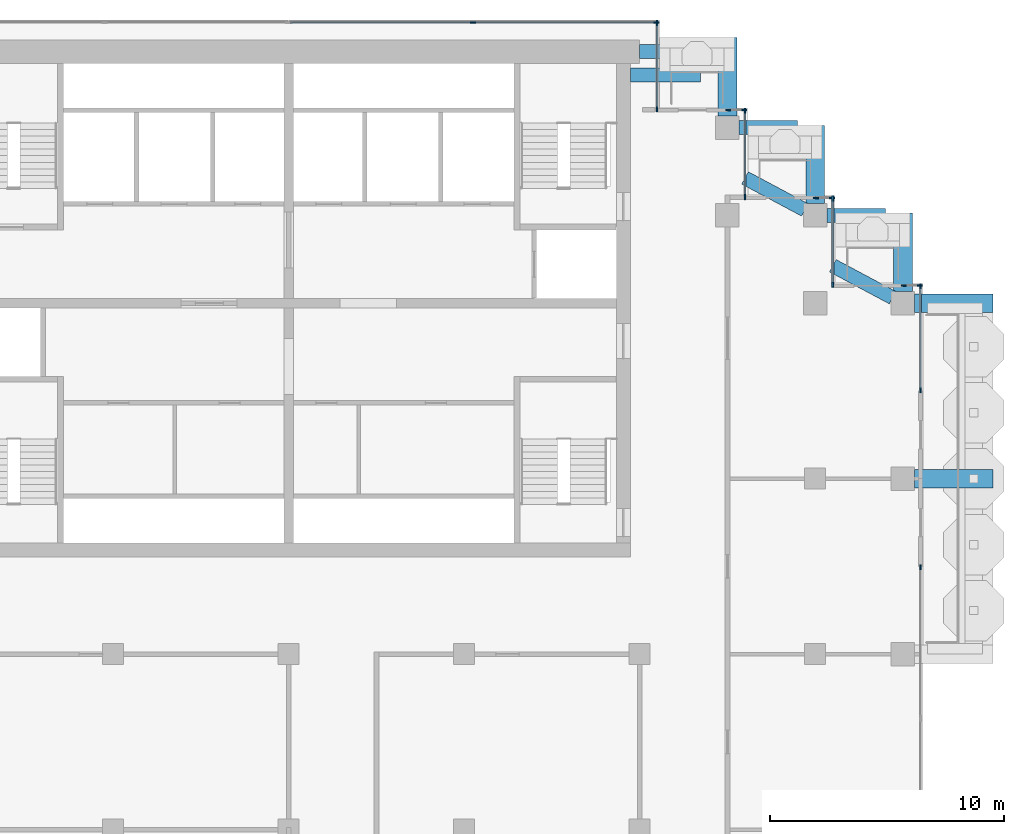
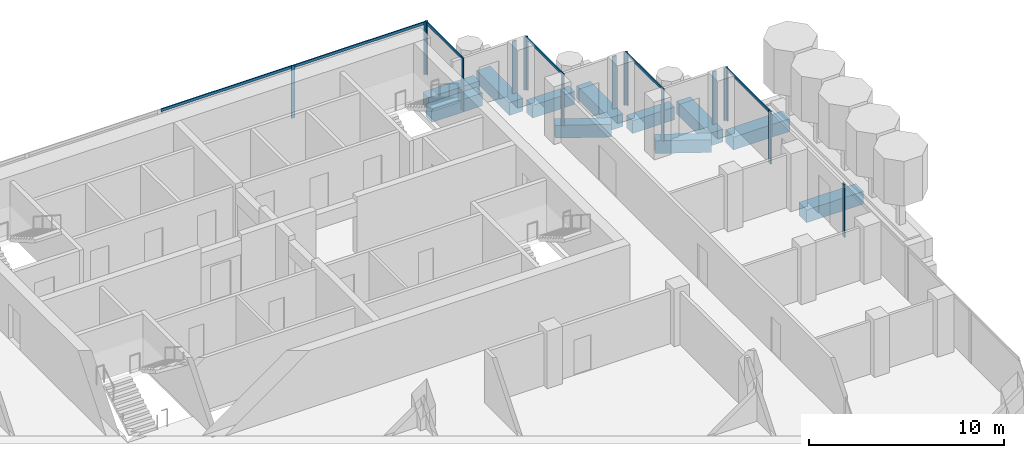
# One storey, part 6 of 18: 23 members, 11 beams, 9 elements without a shape of their own.
"""IFC4 building model written with IfcOpenShell, lengths in metres."""

from ifc_helpers import new_model, si_unit, direction, frame, origin, origin_2d, place, context, subcontext, project, spatial, rectangle, extrude, material, material_profile, profile_set, type_object, element, aggregate, save


model = new_model("IFC4")

# Units and contexts
model_context = context("Model", 3, precision=1e-05, world=origin(), true_north=direction((0.0, 1.0)))
body_context = subcontext(model_context, "Body", "Model", "MODEL_VIEW")
ifc_project = project(units=[si_unit("LENGTHUNIT", "METRE"), si_unit("AREAUNIT", "SQUARE_METRE"), si_unit("VOLUMEUNIT", "CUBIC_METRE"), si_unit("PLANEANGLEUNIT", "RADIAN"), si_unit("MASSUNIT", "GRAM", prefix="KILO")], contexts=[model_context])

# Site, building, storey
site_placement = place(None, origin())
site = spatial("IfcSite", under=ifc_project, at=site_placement, CompositionType="ELEMENT")
building_placement = place(site_placement, origin())
building = spatial("IfcBuilding", under=site, at=building_placement, Name="Pilkhan Gate Tower", CompositionType="ELEMENT")
storey_placement = place(building_placement, frame((0.0, 0.0, 203.10009765625)))
storey = spatial("IfcBuildingStorey", under=building, at=storey_placement, Name="L52", CompositionType="ELEMENT", Elevation=203.10009765625)

# Beams
ifc_material_1 = material(Name="Concrete C50/60", Category="concrete")
ifc_material_profile_1 = material_profile(ifc_material_1, rectangle(XDim=0.60009765625, YDim=0.800048828125, at=origin_2d()), Name="RC 600x800")
ifc_profile_set_1 = profile_set([ifc_material_profile_1], Name="Concrete C50/60")
beam_type_1 = type_object("IfcBeamType", Name="Cantilever beam CB1 RC 600x800 C50/60", PredefinedType="BEAM", material=ifc_profile_set_1)
for number, where, z_axis, x_axis, name in (
    (1, (90.0, 93.25, -0.7001953125), (1.0, 0.0, 0.0), (0.0, 1.0, 0.0), "Balcony beam NE.2 L52"),
    (2, (89.60009765625, 92.25, -0.7001953125), (1.0, 0.0, 0.0), (0.0, 1.0, 0.0), "Balcony beam NE.3 L52"),
):
    element("IfcBeam", number, at=place(storey_placement, frame(where, z_axis=z_axis, x_axis=x_axis)), inside=storey, type_object=beam_type_1, Name=name, PredefinedType="BEAM", context=body_context, shape_type="SweptSolid", body=[
        extrude(rectangle(XDim=0.60009765625, YDim=0.800048828125, at=origin_2d()), origin(), (0.0, 0.0, 1.0), 3.0),
    ])
beam_1_placement = place(storey_placement, frame((94.25, 90.0, -0.7001953125), z_axis=(1.0, 0.0, 0.0), x_axis=(0.0, 1.0, 0.0)))
element("IfcBeam", 3, at=beam_1_placement, inside=storey, type_object=beam_type_1, Name="Balcony beam NE1.2 L52", PredefinedType="BEAM", context=body_context, shape_type="SweptSolid", body=[
    extrude(rectangle(XDim=0.60009765625, YDim=0.800048828125, at=origin_2d()), origin(), (0.0, 0.0, 1.0), 2.5),
])
beam_2_placement = place(storey_placement, frame((97.058837890625, 86.4853515625, -0.7001953125), z_axis=(-0.882348280344, 0.470596974251, 0.0), x_axis=(-0.470596974251, -0.882348280344, 0.0)))
element("IfcBeam", 4, at=beam_2_placement, inside=storey, type_object=beam_type_1, Name="Balcony beam NE1.3 L52", PredefinedType="BEAM", context=body_context, shape_type="SweptSolid", body=[
    extrude(rectangle(XDim=0.60009765625, YDim=0.800048828125, at=origin_2d()), origin(), (0.0, 0.0, 1.0), 2.900146484375),
])
beam_3_placement = place(storey_placement, frame((98.0, 86.25, -0.7001953125), z_axis=(1.0, 0.0, 0.0), x_axis=(0.0, 1.0, 0.0)))
element("IfcBeam", 5, at=beam_3_placement, inside=storey, type_object=beam_type_1, Name="Balcony beam NE2.2 L52", PredefinedType="BEAM", context=body_context, shape_type="SweptSolid", body=[
    extrude(rectangle(XDim=0.60009765625, YDim=0.800048828125, at=origin_2d()), origin(), (0.0, 0.0, 1.0), 2.5),
])
beam_4_placement = place(storey_placement, frame((100.808837890625, 82.7353515625, -0.7001953125), z_axis=(-0.882348280344, 0.470596974251, 0.0), x_axis=(-0.470596974251, -0.882348280344, 0.0)))
element("IfcBeam", 6, at=beam_4_placement, inside=storey, type_object=beam_type_1, Name="Balcony beam NE2.3 L52", PredefinedType="BEAM", context=body_context, shape_type="SweptSolid", body=[
    extrude(rectangle(XDim=0.60009765625, YDim=0.800048828125, at=origin_2d()), origin(), (0.0, 0.0, 1.0), 2.900146484375),
])
ifc_material_profile_2 = material_profile(ifc_material_1, rectangle(XDim=0.800048828125, YDim=0.800048828125, at=origin_2d()), Name="RC 800x800")
ifc_profile_set_2 = profile_set([ifc_material_profile_2], Name="Concrete C50/60")
beam_type_2 = type_object("IfcBeamType", Name="Cantilever beam CB2 RC 800x800 C50/60", PredefinedType="BEAM", material=ifc_profile_set_2)
for number, where, z_axis, x_axis, name in (
    (7, (101.75, 75.0, -0.7001953125), (1.0, 0.0, 0.0), (0.0, 1.0, 0.0), "Balcony beam E.2 L52"),
    (8, (101.75, 82.5, -0.7001953125), (1.0, 0.0, 0.0), (0.0, 1.0, 0.0), "Balcony beam E.3 L52"),
    (9, (93.75, 90.5, -0.7001953125), (0.0, 1.0, 0.0), (-1.0, 0.0, 0.0), "Balcony beam NE.1 L52"),
    (10, (97.5, 86.75, -0.7001953125), (0.0, 1.0, 0.0), (-1.0, 0.0, 0.0), "Balcony beam NE1.1 L52"),
    (11, (101.25, 83.0, -0.7001953125), (0.0, 1.0, 0.0), (-1.0, 0.0, 0.0), "Balcony beam NE2.1 L52"),
):
    element("IfcBeam", number, at=place(storey_placement, frame(where, z_axis=z_axis, x_axis=x_axis)), inside=storey, type_object=beam_type_2, Name=name, PredefinedType="BEAM", context=body_context, shape_type="SweptSolid", body=[
        extrude(rectangle(XDim=0.800048828125, YDim=0.800048828125, at=origin_2d()), origin(), (0.0, 0.0, 1.0), 3.35009765625),
    ])

# Curtain wall, member
ifc_material_2 = material(Name="Pale anodised aluminium, clear low-iron double glazing", Category="aluminium")
curtain_wall_type = type_object("IfcCurtainWallType", Name="Office unitised curtain wall CW-O2", PredefinedType="USERDEFINED", material=ifc_material_2)
curtain_wall_1_placement = place(storey_placement, origin())
curtain_wall_1 = element("IfcCurtainWall", 12, at=curtain_wall_1_placement, inside=storey, type_object=curtain_wall_type, Name="Office unitised curtain wall CW-O2 L52 E", ObjectType="UNITISED CURTAIN WALL", PredefinedType="USERDEFINED")
ifc_material_3 = material(Name="Pale anodised aluminium", Category="aluminium")
ifc_material_profile_3 = material_profile(ifc_material_3, rectangle(XDim=0.06494140625, YDim=0.22509765625, at=origin_2d()), Name="Mullion 225x65")
ifc_profile_set_3 = profile_set([ifc_material_profile_3], Name="Pale anodised aluminium")
member_type_1 = type_object("IfcMemberType", Name="Mullion CW-O2 225x65", PredefinedType="MULLION", material=ifc_profile_set_3)
member_1_placement = place(storey_placement, frame((102.0, 71.217529296875, 0.0), z_axis=(0.0, 0.0, 1.0), x_axis=(-1.0, 0.0, 0.0)))
member_1 = element("IfcMember", 13, at=member_1_placement, type_object=member_type_1, Name="CW-O2 mullion 2", PredefinedType="MULLION", context=body_context, shape_type="SweptSolid", body=[
    extrude(rectangle(XDim=0.06494140625, YDim=0.22509765625, at=origin_2d()), origin(), (0.0, 0.0, 1.0), 3.2998046875),
])
aggregate(curtain_wall_1, [member_1])

# Curtain wall, members
curtain_wall_2_placement = place(storey_placement, origin())
curtain_wall_2 = element("IfcCurtainWall", 14, at=curtain_wall_2_placement, inside=storey, type_object=curtain_wall_type, Name="Office unitised curtain wall CW-O2 L52 E", ObjectType="UNITISED CURTAIN WALL", PredefinedType="USERDEFINED")
member_2_placement = place(storey_placement, frame((102.0, 78.782470703125, 0.0), z_axis=(0.0, 0.0, 1.0), x_axis=(-1.0, 0.0, 0.0)))
member_2 = element("IfcMember", 15, at=member_2_placement, type_object=member_type_1, Name="CW-O2 mullion 1", PredefinedType="MULLION", context=body_context, shape_type="SweptSolid", body=[
    extrude(rectangle(XDim=0.06494140625, YDim=0.22509765625, at=origin_2d()), origin(), (0.0, 0.0, 1.0), 3.2998046875),
])
member_3_placement = place(storey_placement, frame((102.0, 83.217529296875, 0.0), z_axis=(0.0, 0.0, 1.0), x_axis=(-1.0, 0.0, 0.0)))
member_3 = element("IfcMember", 16, at=member_3_placement, type_object=member_type_1, Name="CW-O2 mullion 2", PredefinedType="MULLION", context=body_context, shape_type="SweptSolid", body=[
    extrude(rectangle(XDim=0.06494140625, YDim=0.22509765625, at=origin_2d()), origin(), (0.0, 0.0, 1.0), 3.2998046875),
])

curtain_wall_3_placement = place(storey_placement, origin())
curtain_wall_3 = element("IfcCurtainWall", 17, at=curtain_wall_3_placement, inside=storey, type_object=curtain_wall_type, Name="Office unitised curtain wall CW-O2 L52 N", ObjectType="UNITISED CURTAIN WALL", PredefinedType="USERDEFINED")
member_4_placement = place(storey_placement, frame((101.282470703125, 83.25, 0.0), z_axis=(0.0, 0.0, 1.0), x_axis=(0.0, 1.0, 0.0)))
member_4 = element("IfcMember", 18, at=member_4_placement, type_object=member_type_1, Name="CW-O2 mullion 1", PredefinedType="MULLION", context=body_context, shape_type="SweptSolid", body=[
    extrude(rectangle(XDim=0.06494140625, YDim=0.22509765625, at=origin_2d()), origin(), (0.0, 0.0, 1.0), 3.2998046875),
])
member_5_placement = place(storey_placement, frame((101.967529296875, 83.25, 0.0), z_axis=(0.0, 0.0, 1.0), x_axis=(0.0, 1.0, 0.0)))
member_5 = element("IfcMember", 19, at=member_5_placement, type_object=member_type_1, Name="CW-O2 mullion 2", PredefinedType="MULLION", context=body_context, shape_type="SweptSolid", body=[
    extrude(rectangle(XDim=0.06494140625, YDim=0.22509765625, at=origin_2d()), origin(), (0.0, 0.0, 1.0), 3.2998046875),
])
aggregate(curtain_wall_3, [member_4, member_5])

curtain_wall_4_placement = place(storey_placement, origin())
curtain_wall_4 = element("IfcCurtainWall", 20, at=curtain_wall_4_placement, inside=storey, type_object=curtain_wall_type, Name="Office unitised curtain wall CW-O2 L52 E", ObjectType="UNITISED CURTAIN WALL", PredefinedType="USERDEFINED")
member_6_placement = place(storey_placement, frame((98.25, 83.282470703125, 0.0), z_axis=(0.0, 0.0, 1.0), x_axis=(-1.0, 0.0, 0.0)))
member_6 = element("IfcMember", 21, at=member_6_placement, type_object=member_type_1, Name="CW-O2 mullion 1", PredefinedType="MULLION", context=body_context, shape_type="SweptSolid", body=[
    extrude(rectangle(XDim=0.06494140625, YDim=0.22509765625, at=origin_2d()), origin(), (0.0, 0.0, 1.0), 3.2998046875),
])
member_7_placement = place(storey_placement, frame((98.25, 86.967529296875, 0.0), z_axis=(0.0, 0.0, 1.0), x_axis=(-1.0, 0.0, 0.0)))
member_7 = element("IfcMember", 22, at=member_7_placement, type_object=member_type_1, Name="CW-O2 mullion 2", PredefinedType="MULLION", context=body_context, shape_type="SweptSolid", body=[
    extrude(rectangle(XDim=0.06494140625, YDim=0.22509765625, at=origin_2d()), origin(), (0.0, 0.0, 1.0), 3.2998046875),
])

curtain_wall_5_placement = place(storey_placement, origin())
curtain_wall_5 = element("IfcCurtainWall", 23, at=curtain_wall_5_placement, inside=storey, type_object=curtain_wall_type, Name="Office unitised curtain wall CW-O2 L52 N", ObjectType="UNITISED CURTAIN WALL", PredefinedType="USERDEFINED")
member_8_placement = place(storey_placement, frame((97.532470703125, 87.0, 0.0), z_axis=(0.0, 0.0, 1.0), x_axis=(0.0, 1.0, 0.0)))
member_8 = element("IfcMember", 24, at=member_8_placement, type_object=member_type_1, Name="CW-O2 mullion 1", PredefinedType="MULLION", context=body_context, shape_type="SweptSolid", body=[
    extrude(rectangle(XDim=0.06494140625, YDim=0.22509765625, at=origin_2d()), origin(), (0.0, 0.0, 1.0), 3.2998046875),
])
member_9_placement = place(storey_placement, frame((98.217529296875, 87.0, 0.0), z_axis=(0.0, 0.0, 1.0), x_axis=(0.0, 1.0, 0.0)))
member_9 = element("IfcMember", 25, at=member_9_placement, type_object=member_type_1, Name="CW-O2 mullion 2", PredefinedType="MULLION", context=body_context, shape_type="SweptSolid", body=[
    extrude(rectangle(XDim=0.06494140625, YDim=0.22509765625, at=origin_2d()), origin(), (0.0, 0.0, 1.0), 3.2998046875),
])
aggregate(curtain_wall_5, [member_8, member_9])

curtain_wall_6_placement = place(storey_placement, origin())
curtain_wall_6 = element("IfcCurtainWall", 26, at=curtain_wall_6_placement, inside=storey, type_object=curtain_wall_type, Name="Office unitised curtain wall CW-O2 L52 E", ObjectType="UNITISED CURTAIN WALL", PredefinedType="USERDEFINED")
member_10_placement = place(storey_placement, frame((94.5, 87.032470703125, 0.0), z_axis=(0.0, 0.0, 1.0), x_axis=(-1.0, 0.0, 0.0)))
member_10 = element("IfcMember", 27, at=member_10_placement, type_object=member_type_1, Name="CW-O2 mullion 1", PredefinedType="MULLION", context=body_context, shape_type="SweptSolid", body=[
    extrude(rectangle(XDim=0.06494140625, YDim=0.22509765625, at=origin_2d()), origin(), (0.0, 0.0, 1.0), 3.2998046875),
])
member_11_placement = place(storey_placement, frame((94.5, 90.717529296875, 0.0), z_axis=(0.0, 0.0, 1.0), x_axis=(-1.0, 0.0, 0.0)))
member_11 = element("IfcMember", 28, at=member_11_placement, type_object=member_type_1, Name="CW-O2 mullion 2", PredefinedType="MULLION", context=body_context, shape_type="SweptSolid", body=[
    extrude(rectangle(XDim=0.06494140625, YDim=0.22509765625, at=origin_2d()), origin(), (0.0, 0.0, 1.0), 3.2998046875),
])

curtain_wall_7_placement = place(storey_placement, origin())
curtain_wall_7 = element("IfcCurtainWall", 29, at=curtain_wall_7_placement, inside=storey, type_object=curtain_wall_type, Name="Office unitised curtain wall CW-O2 L52 N", ObjectType="UNITISED CURTAIN WALL", PredefinedType="USERDEFINED")
member_12_placement = place(storey_placement, frame((93.782470703125, 90.75, 0.0), z_axis=(0.0, 0.0, 1.0), x_axis=(0.0, 1.0, 0.0)))
member_12 = element("IfcMember", 30, at=member_12_placement, type_object=member_type_1, Name="CW-O2 mullion 1", PredefinedType="MULLION", context=body_context, shape_type="SweptSolid", body=[
    extrude(rectangle(XDim=0.06494140625, YDim=0.22509765625, at=origin_2d()), origin(), (0.0, 0.0, 1.0), 3.2998046875),
])
member_13_placement = place(storey_placement, frame((94.467529296875, 90.75, 0.0), z_axis=(0.0, 0.0, 1.0), x_axis=(0.0, 1.0, 0.0)))
member_13 = element("IfcMember", 31, at=member_13_placement, type_object=member_type_1, Name="CW-O2 mullion 2", PredefinedType="MULLION", context=body_context, shape_type="SweptSolid", body=[
    extrude(rectangle(XDim=0.06494140625, YDim=0.22509765625, at=origin_2d()), origin(), (0.0, 0.0, 1.0), 3.2998046875),
])
aggregate(curtain_wall_7, [member_12, member_13])

curtain_wall_8_placement = place(storey_placement, origin())
curtain_wall_8 = element("IfcCurtainWall", 32, at=curtain_wall_8_placement, inside=storey, type_object=curtain_wall_type, Name="Office unitised curtain wall CW-O2 L52 E", ObjectType="UNITISED CURTAIN WALL", PredefinedType="USERDEFINED")
member_14_placement = place(storey_placement, frame((90.75, 90.782470703125, 0.0), z_axis=(0.0, 0.0, 1.0), x_axis=(-1.0, 0.0, 0.0)))
member_14 = element("IfcMember", 33, at=member_14_placement, type_object=member_type_1, Name="CW-O2 mullion 1", PredefinedType="MULLION", context=body_context, shape_type="SweptSolid", body=[
    extrude(rectangle(XDim=0.06494140625, YDim=0.22509765625, at=origin_2d()), origin(), (0.0, 0.0, 1.0), 3.2998046875),
])
member_15_placement = place(storey_placement, frame((90.75, 94.467529296875, 0.0), z_axis=(0.0, 0.0, 1.0), x_axis=(-1.0, 0.0, 0.0)))
member_15 = element("IfcMember", 34, at=member_15_placement, type_object=member_type_1, Name="CW-O2 mullion 2", PredefinedType="MULLION", context=body_context, shape_type="SweptSolid", body=[
    extrude(rectangle(XDim=0.06494140625, YDim=0.22509765625, at=origin_2d()), origin(), (0.0, 0.0, 1.0), 3.2998046875),
])

curtain_wall_9_placement = place(storey_placement, origin())
curtain_wall_9 = element("IfcCurtainWall", 35, at=curtain_wall_9_placement, inside=storey, type_object=curtain_wall_type, Name="Office unitised curtain wall CW-O2 L52 N", ObjectType="UNITISED CURTAIN WALL", PredefinedType="USERDEFINED")
member_16_placement = place(storey_placement, frame((82.875, 94.5, 0.0), z_axis=(0.0, 0.0, 1.0), x_axis=(0.0, 1.0, 0.0)))
member_16 = element("IfcMember", 36, at=member_16_placement, type_object=member_type_1, Name="CW-O2 mullion 2", PredefinedType="MULLION", context=body_context, shape_type="SweptSolid", body=[
    extrude(rectangle(XDim=0.06494140625, YDim=0.22509765625, at=origin_2d()), origin(), (0.0, 0.0, 1.0), 3.2998046875),
])
member_17_placement = place(storey_placement, frame((90.717529296875, 94.5, 0.0), z_axis=(0.0, 0.0, 1.0), x_axis=(0.0, 1.0, 0.0)))
member_17 = element("IfcMember", 37, at=member_17_placement, type_object=member_type_1, Name="CW-O2 mullion 3", PredefinedType="MULLION", context=body_context, shape_type="SweptSolid", body=[
    extrude(rectangle(XDim=0.06494140625, YDim=0.22509765625, at=origin_2d()), origin(), (0.0, 0.0, 1.0), 3.2998046875),
])

# Member
ifc_material_profile_4 = material_profile(ifc_material_3, rectangle(XDim=0.06494140625, YDim=0.1650390625, at=origin_2d()), Name="Transom 165x65")
ifc_profile_set_4 = profile_set([ifc_material_profile_4], Name="Pale anodised aluminium")
member_type_2 = type_object("IfcMemberType", Name="Transom CW-O2 165x65", PredefinedType="USERDEFINED", material=ifc_profile_set_4)
member_18_placement = place(storey_placement, frame((102.0, 78.81494140625, 3.21728515625), z_axis=(0.0, 1.0, 0.0), x_axis=(-1.0, 0.0, 0.0)))
member_18 = element("IfcMember", 38, at=member_18_placement, type_object=member_type_2, Name="CW-O2 transom 1", ObjectType="TRANSOM", PredefinedType="USERDEFINED", context=body_context, shape_type="SweptSolid", body=[
    extrude(rectangle(XDim=0.06494140625, YDim=0.1650390625, at=origin_2d()), origin(), (0.0, 0.0, 1.0), 4.3701171875),
])

aggregate(curtain_wall_2, [member_2, member_3, member_18])

member_19_placement = place(storey_placement, frame((98.25, 83.31494140625, 3.21728515625), z_axis=(0.0, 1.0, 0.0), x_axis=(-1.0, 0.0, 0.0)))
member_19 = element("IfcMember", 39, at=member_19_placement, type_object=member_type_2, Name="CW-O2 transom 1", ObjectType="TRANSOM", PredefinedType="USERDEFINED", context=body_context, shape_type="SweptSolid", body=[
    extrude(rectangle(XDim=0.06494140625, YDim=0.1650390625, at=origin_2d()), origin(), (0.0, 0.0, 1.0), 3.6201171875),
])

aggregate(curtain_wall_4, [member_6, member_7, member_19])

member_20_placement = place(storey_placement, frame((94.5, 87.06494140625, 3.21728515625), z_axis=(0.0, 1.0, 0.0), x_axis=(-1.0, 0.0, 0.0)))
member_20 = element("IfcMember", 40, at=member_20_placement, type_object=member_type_2, Name="CW-O2 transom 1", ObjectType="TRANSOM", PredefinedType="USERDEFINED", context=body_context, shape_type="SweptSolid", body=[
    extrude(rectangle(XDim=0.06494140625, YDim=0.1650390625, at=origin_2d()), origin(), (0.0, 0.0, 1.0), 3.6201171875),
])

aggregate(curtain_wall_6, [member_10, member_11, member_20])

member_21_placement = place(storey_placement, frame((90.75, 90.81494140625, 3.21728515625), z_axis=(0.0, 1.0, 0.0), x_axis=(-1.0, 0.0, 0.0)))
member_21 = element("IfcMember", 41, at=member_21_placement, type_object=member_type_2, Name="CW-O2 transom 1", ObjectType="TRANSOM", PredefinedType="USERDEFINED", context=body_context, shape_type="SweptSolid", body=[
    extrude(rectangle(XDim=0.06494140625, YDim=0.1650390625, at=origin_2d()), origin(), (0.0, 0.0, 1.0), 3.6201171875),
])

aggregate(curtain_wall_8, [member_14, member_15, member_21])

member_22_placement = place(storey_placement, frame((75.06494140625, 94.5, 3.21728515625), z_axis=(1.0, 0.0, 0.0), x_axis=(0.0, 1.0, 0.0)))
member_22 = element("IfcMember", 42, at=member_22_placement, type_object=member_type_2, Name="CW-O2 transom 1", ObjectType="TRANSOM", PredefinedType="USERDEFINED", context=body_context, shape_type="SweptSolid", body=[
    extrude(rectangle(XDim=0.06494140625, YDim=0.1650390625, at=origin_2d()), origin(), (0.0, 0.0, 1.0), 7.777587890625),
])

member_23_placement = place(storey_placement, frame((82.907470703125, 94.5, 3.21728515625), z_axis=(1.0, 0.0, 0.0), x_axis=(0.0, 1.0, 0.0)))
member_23 = element("IfcMember", 43, at=member_23_placement, type_object=member_type_2, Name="CW-O2 transom 2", ObjectType="TRANSOM", PredefinedType="USERDEFINED", context=body_context, shape_type="SweptSolid", body=[
    extrude(rectangle(XDim=0.06494140625, YDim=0.1650390625, at=origin_2d()), origin(), (0.0, 0.0, 1.0), 7.777587890625),
])

aggregate(curtain_wall_9, [member_16, member_17, member_22, member_23])

save(model, "model.ifc")
